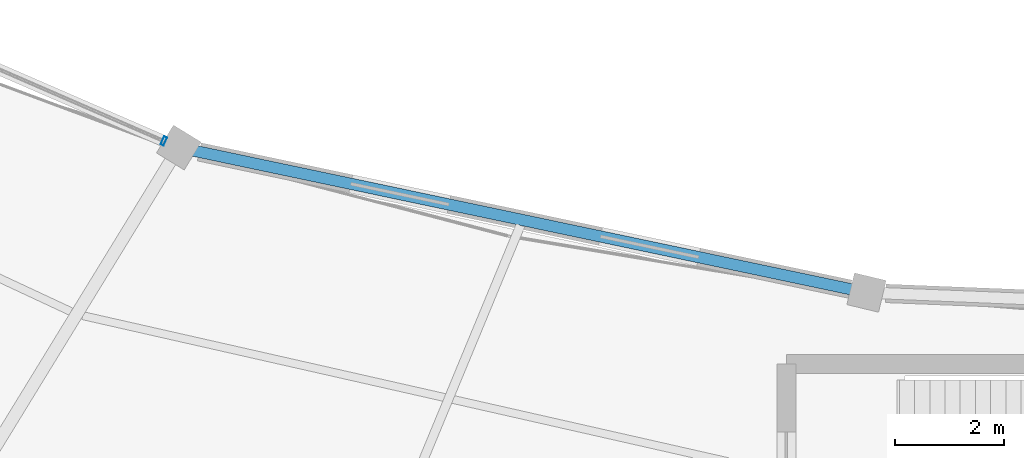
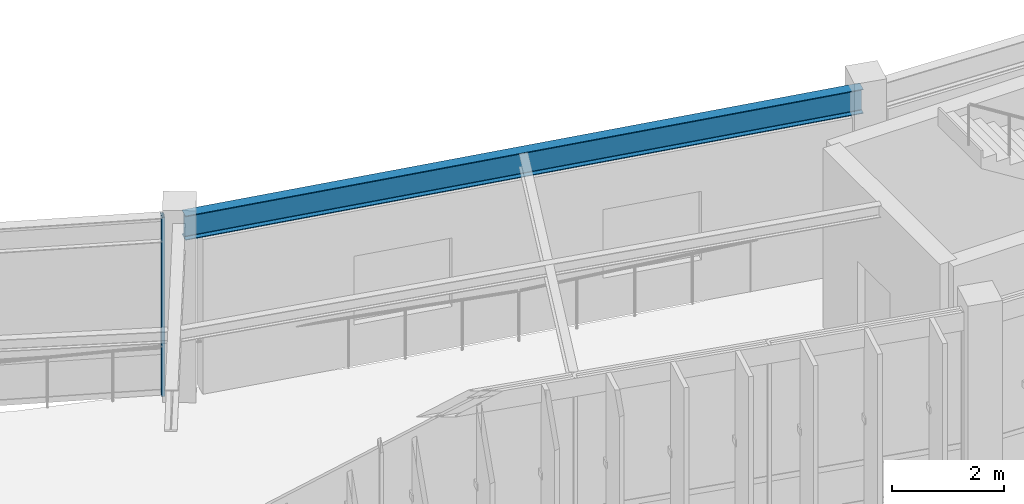
# One storey, part 45 of 114: 1 beam, 1 member, 1 element without a shape of its own.
"""IFC4 building model written with IfcOpenShell, lengths in metres."""

import ifcopenshell
import ifcopenshell.guid

model = None  # the IFC model being written
_history = None  # IfcOwnerHistory: only IFC2X3 demands one
_inside = {}  # id of a spatial element -> (the spatial element, [elements in it])
_under = {}  # id of a project, library or spatial element -> (it, [spatial elements below it])
_declared = {}  # id of a project -> (the project, [libraries it declares])
_typed = {}  # id of a type object -> (the type object, [elements of that type])
_made_of = {}  # id of a material, layer set ... -> (it, [elements and type objects made of it])


def new_model(schema):
    """Start an empty IFC model of exactly this schema.

    Asked for "IFC4X3", IfcOpenShell would pick the latest addendum, in which some entities
    have other attributes; the version numbers below select the first issue.
    IFC2X3 requires an IfcOwnerHistory on every rooted entity: one is made here for all.
    """
    global model, _history
    if schema == "IFC4X3":
        model = ifcopenshell.file(schema_version=(4, 3, 0, 0))
    else:
        model = ifcopenshell.file(schema=schema)
    _inside.clear()
    _under.clear()
    _declared.clear()
    _typed.clear()
    _made_of.clear()
    _history = None
    if model.schema == "IFC2X3":
        org = make("IfcOrganization", Name="unknown")
        user = make(
            "IfcPersonAndOrganization",
            ThePerson=make("IfcPerson", FamilyName="unknown"),
            TheOrganization=org,
        )
        app = make(
            "IfcApplication",
            ApplicationDeveloper=org,
            Version="unknown",
            ApplicationFullName="unknown",
            ApplicationIdentifier="unknown",
        )
        _history = make(
            "IfcOwnerHistory",
            OwningUser=user,
            OwningApplication=app,
            ChangeAction="ADDED",
            CreationDate=0,
        )
    return model


def make(cls, **values):
    """One entity of the class cls with the attributes given. An attribute that is None is left unset."""
    return model.create_entity(
        cls, **{name: value for name, value in values.items() if value is not None}
    )


def rooted(cls, **values):
    """An entity with a GlobalId (a new one), such as an element, a storey or a relation."""
    return make(cls, GlobalId=ifcopenshell.guid.new(), OwnerHistory=_history, **values)


def si_unit(unit_type, name, prefix=None):
    """IfcSIUnit, for example si_unit("LENGTHUNIT", "METRE", prefix="MILLI")."""
    return make("IfcSIUnit", UnitType=unit_type, Prefix=prefix, Name=name)


def assignment(units):
    """IfcUnitAssignment: the units of a project."""
    return None if units is None else make("IfcUnitAssignment", Units=units)


def point(xyz):
    """IfcCartesianPoint."""
    return None if xyz is None else make("IfcCartesianPoint", Coordinates=xyz)


def direction(xyz):
    """IfcDirection."""
    return None if xyz is None else make("IfcDirection", DirectionRatios=xyz)


def frame(location, z_axis=None, x_axis=None):
    """IfcAxis2Placement3D, a coordinate frame: its origin and axes. An axis left out is left unset."""
    return make(
        "IfcAxis2Placement3D",
        Location=point(location),
        Axis=direction(z_axis),
        RefDirection=direction(x_axis),
    )


def frame_2d(location, x_axis=None):
    """IfcAxis2Placement2D, a coordinate frame in the plane: its origin and x axis."""
    return make(
        "IfcAxis2Placement2D", Location=point(location), RefDirection=direction(x_axis)
    )


def origin():
    """The frame at (0, 0, 0) with its axes left unset."""
    return frame((0.0, 0.0, 0.0))


def origin_2d():
    """The frame at (0, 0) in the plane with its x axis left unset."""
    return frame_2d((0.0, 0.0))


def place(relative_to, where):
    """IfcLocalPlacement: puts the frame where relative to a parent placement (None: the world)."""
    return make(
        "IfcLocalPlacement", PlacementRelTo=relative_to, RelativePlacement=where
    )


def context(
    kind, dimensions, precision=None, world=None, true_north=None, identifier=None
):
    """IfcGeometricRepresentationContext, for example the 3D "Model" context."""
    return make(
        "IfcGeometricRepresentationContext",
        ContextIdentifier=identifier,
        ContextType=kind,
        CoordinateSpaceDimension=dimensions,
        Precision=precision,
        WorldCoordinateSystem=world,
        TrueNorth=true_north,
    )


def subcontext(parent, identifier, kind, view, scale=None):
    """IfcGeometricRepresentationSubContext, for example "Body" below "Model"."""
    return make(
        "IfcGeometricRepresentationSubContext",
        ContextIdentifier=identifier,
        ContextType=kind,
        ParentContext=parent,
        TargetScale=scale,
        TargetView=view,
    )


def project(units=None, contexts=None):
    """IfcProject with its units and contexts."""
    return rooted(
        "IfcProject",
        Name="project",
        RepresentationContexts=contexts,
        UnitsInContext=assignment(units),
    )


def spatial(cls, under=None, at=None, **own):
    """A site, building, storey or space (cls), placed at a placement, below another one or the project."""
    s = rooted(cls, ObjectPlacement=at, **own)
    if under is not None:
        _under.setdefault(under.id(), (under, []))[1].append(s)
    return s


def profile(cls, at=None, kind="AREA", **sizes):
    """A parametric profile (cls). Its sizes go by their IFC names, for example OverallWidth=200.0."""
    return make(cls, ProfileType=kind, Position=at, **sizes)


def hollow_rectangle(**sizes):
    """IfcRectangleHollowProfileDef."""
    return profile("IfcRectangleHollowProfileDef", **sizes)


def i_section(**sizes):
    """IfcIShapeProfileDef."""
    return profile("IfcIShapeProfileDef", **sizes)


def extrude(swept, where, along, depth):
    """IfcExtrudedAreaSolid: the profile swept, set in the frame where, extruded along a direction by depth."""
    return make(
        "IfcExtrudedAreaSolid",
        SweptArea=swept,
        Position=where,
        ExtrudedDirection=direction(along),
        Depth=depth,
    )


def shape(context_of_items, identifier, shape_type, items):
    """IfcShapeRepresentation: the items that make up one representation, for example the "Body"."""
    return make(
        "IfcShapeRepresentation",
        ContextOfItems=context_of_items,
        RepresentationIdentifier=identifier,
        RepresentationType=shape_type,
        Items=items,
    )


def material(Name=None, Category=None):
    """IfcMaterial."""
    return make("IfcMaterial", Name=Name, Category=Category)


def material_profile(
    of_material, cross_section, Name=None, Category=None, Priority=None
):
    """IfcMaterialProfile: a cross section and its material."""
    return make(
        "IfcMaterialProfile",
        Name=Name,
        Material=of_material,
        Profile=cross_section,
        Priority=Priority,
        Category=Category,
    )


def profile_set(profiles, Name=None, composite=None):
    """IfcMaterialProfileSet."""
    return make(
        "IfcMaterialProfileSet",
        Name=Name,
        MaterialProfiles=profiles,
        CompositeProfile=composite,
    )


def made_of(thing, what):
    """Note that an element or type object is made of a material, layer set ...; save() writes the relation."""
    if what is not None:
        _made_of.setdefault(what.id(), (what, []))[1].append(thing)
    return thing


def type_object(cls, material=None, **own):
    """A type object (cls), such as IfcWallType, which elements share."""
    return made_of(rooted(cls, **own), material)


def element(
    cls,
    number,
    at=None,
    inside=None,
    cuts=None,
    type_object=None,
    material=None,
    context=None,
    identifier="Body",
    shape_type=None,
    held_by="IfcProductDefinitionShape",
    body=None,
    shapes=None,
    **own,
):
    """One element of the class cls, such as IfcWall. Its Tag is "e" and its number.

    at: its placement. inside: the storey or other place that contains it. cuts: it is an
    opening in that element (IfcRelVoidsElement). A single representation is given by context,
    identifier, shape_type and body (its items); several are given by shapes. held_by: the class
    of the entity that holds the representations. save() writes the other relations.
    """
    e = rooted(cls, Tag="e%d" % number, ObjectPlacement=at, **own)
    if body is not None:
        shapes = [shape(context, identifier, shape_type, body)]
    if shapes is not None:
        e.Representation = make(held_by, Representations=shapes)
    if inside is not None:
        _inside.setdefault(inside.id(), (inside, []))[1].append(e)
    if cuts is not None:
        rooted(
            "IfcRelVoidsElement", RelatingBuildingElement=cuts, RelatedOpeningElement=e
        )
    if type_object is not None:
        _typed.setdefault(type_object.id(), (type_object, []))[1].append(e)
    return made_of(e, material)


def aggregate(whole, parts):
    """IfcRelAggregates: a whole, such as a stair, and the parts it consists of."""
    return rooted("IfcRelAggregates", RelatingObject=whole, RelatedObjects=parts)


def save(model, path):
    """Write the relations noted so far, then the file.

    IfcRelAggregates (storeys below a building ...), IfcRelContainedInSpatialStructure (elements
    in a storey), IfcRelDefinesByType, IfcRelAssociatesMaterial and IfcRelDeclares: one each for
    every whole, place, type object, material and project.
    """
    for whole, parts in _under.values():
        aggregate(whole, parts)
    for where, things in _inside.values():
        rooted(
            "IfcRelContainedInSpatialStructure",
            RelatedElements=things,
            RelatingStructure=where,
        )
    for kind, things in _typed.values():
        rooted("IfcRelDefinesByType", RelatedObjects=things, RelatingType=kind)
    for what, things in _made_of.values():
        rooted("IfcRelAssociatesMaterial", RelatedObjects=things, RelatingMaterial=what)
    for by, libraries in _declared.values():
        rooted("IfcRelDeclares", RelatingContext=by, RelatedDefinitions=libraries)
    model.write(path)


model = new_model("IFC4")

# Units and contexts
model_context = context("Model", 3, precision=1e-05, world=origin(), true_north=direction((0.0, 1.0)))
body_context = subcontext(model_context, "Body", "Model", "MODEL_VIEW")
ifc_project = project(units=[si_unit("LENGTHUNIT", "METRE"), si_unit("AREAUNIT", "SQUARE_METRE"), si_unit("VOLUMEUNIT", "CUBIC_METRE"), si_unit("PLANEANGLEUNIT", "RADIAN"), si_unit("MASSUNIT", "GRAM", prefix="KILO"), si_unit("THERMODYNAMICTEMPERATUREUNIT", "KELVIN"), si_unit("POWERUNIT", "WATT")], contexts=[model_context])

# Site, building, storey
site_placement = place(None, origin())
site = spatial("IfcSite", under=ifc_project, at=site_placement, CompositionType="ELEMENT")
building_placement = place(site_placement, origin())
building = spatial("IfcBuilding", under=site, at=building_placement, Name="Darbajah Civic Hall", CompositionType="ELEMENT")
storey_placement = place(building_placement, frame((0.0, 0.0, 13.800048828125)))
storey = spatial("IfcBuildingStorey", under=building, at=storey_placement, Name="L03", CompositionType="ELEMENT", Elevation=13.800048828125)

# Curtain wall, member
ifc_material_1 = material(Name="Anodised Bronze Aluminium and Low-E Glazing", Category="aluminium")
curtain_wall_type = type_object("IfcCurtainWallType", Name="Unitised Curtain Wall CW-39 10800x3900", PredefinedType="USERDEFINED", material=ifc_material_1)
curtain_wall_placement = place(storey_placement, origin())
curtain_wall = element("IfcCurtainWall", 1, at=curtain_wall_placement, inside=storey, type_object=curtain_wall_type, Name="L03 unitised curtain wall CW-V1I-L03-12", ObjectType="UNITISED CURTAIN WALL", PredefinedType="USERDEFINED")
ifc_material_2 = material(Name="Anodised Bronze Aluminium", Category="aluminium")
ifc_material_profile_1 = material_profile(ifc_material_2, hollow_rectangle(XDim=0.06005859375, YDim=0.159912109375, WallThickness=0.00341796875, at=origin_2d()), Name="ALU MULLION 60x160")
ifc_profile_set_1 = profile_set([ifc_material_profile_1], Name="Anodised Bronze Aluminium")
member_type = type_object("IfcMemberType", Name="ALU MULLION 60x160", PredefinedType="MULLION", material=ifc_profile_set_1)
member_placement = place(storey_placement, frame((65.937744140625, 70.906494140625, 0.0), z_axis=(0.0, 0.0, 1.0), x_axis=(0.917060074385, -0.398749068925, 0.0)))
member = element("IfcMember", 2, at=member_placement, type_object=member_type, Name="CW-V1I-L03-12 mullion 4", PredefinedType="MULLION", context=body_context, shape_type="SweptSolid", body=[
    extrude(hollow_rectangle(XDim=0.06005859375, YDim=0.159912109375, WallThickness=0.00341796875, at=origin_2d()), origin(), (0.0, 0.0, 1.0), 3.919921875),
])
aggregate(curtain_wall, [member])

# Beam
ifc_material_3 = material(Name="Steel S355JR", Category="steel")
ifc_material_profile_2 = material_profile(ifc_material_3, i_section(OverallWidth=0.209228515625, OverallDepth=0.533203125, WebThickness=0.010009765625, FlangeThickness=0.015625, FilletRadius=0.0126953125, at=origin_2d()), Name="UB 533x210x92")
ifc_profile_set_2 = profile_set([ifc_material_profile_2], Name="Steel S355JR")
beam_type = type_object("IfcBeamType", Name="UB 533x210x92", PredefinedType="BEAM", material=ifc_profile_set_2)
beam_placement = place(storey_placement, frame((66.29296875, 70.76953125, 3.653564453125), z_axis=(0.97848162244, -0.206333987862, 0.0), x_axis=(0.206333987862, 0.97848162244, 0.0)))
element("IfcBeam", 3, at=beam_placement, inside=storey, type_object=beam_type, Name="L03 beam SB-533", PredefinedType="BEAM", context=body_context, shape_type="SweptSolid", body=[
    extrude(i_section(OverallWidth=0.209228515625, OverallDepth=0.533203125, WebThickness=0.010009765625, FlangeThickness=0.015625, FilletRadius=0.0126953125, at=origin_2d()), origin(), (0.0, 0.0, 1.0), 12.77880859375),
])

save(model, "model.ifc")
